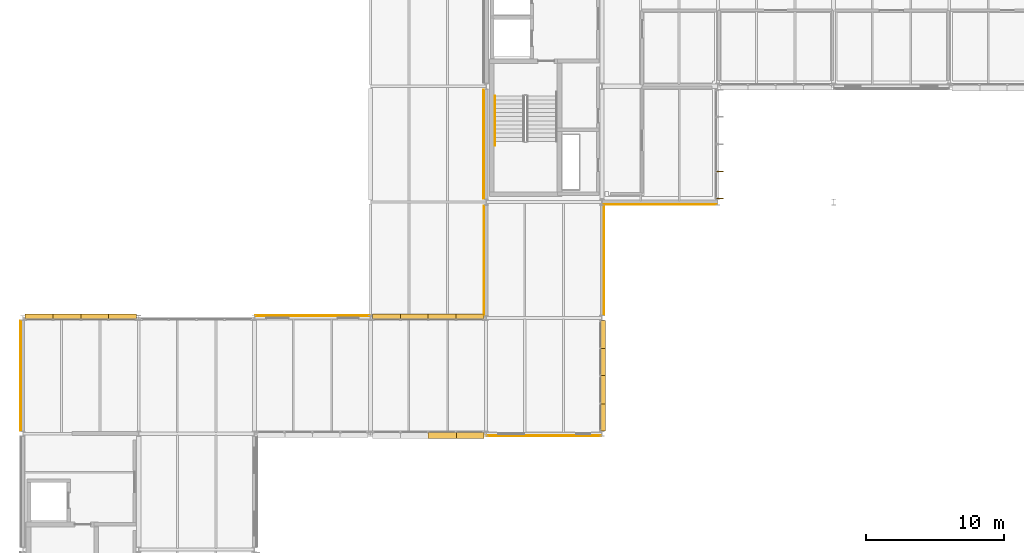
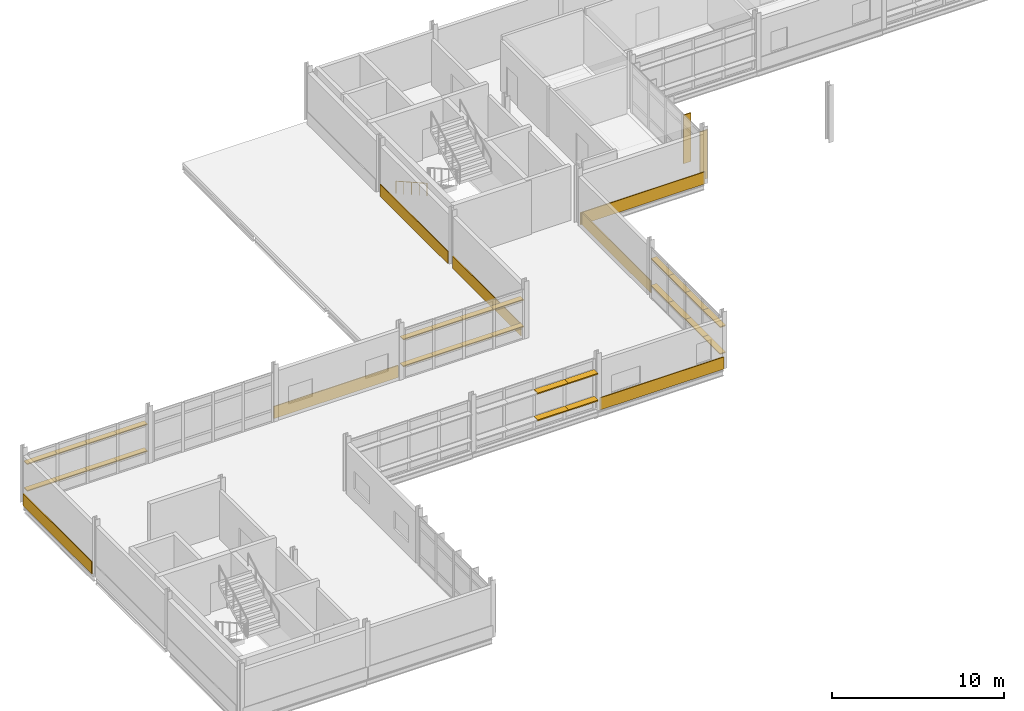
# One storey, part 121 of 131: 30 shading devices, 7 coverings, 1 railing.
"""IFC4 building model written with IfcOpenShell, lengths in metres."""

from ifc_helpers import new_model, si_unit, direction, frame, origin, origin_2d, place, context, subcontext, project, spatial, rectangle, circle, extrude, material, layer, layer_set, type_object, element, save


model = new_model("IFC4")

# Units and contexts
model_context = context("Model", 3, precision=1e-05, world=origin(), true_north=direction((0.0, 1.0)))
body_context = subcontext(model_context, "Body", "Model", "MODEL_VIEW")
ifc_project = project(units=[si_unit("LENGTHUNIT", "METRE"), si_unit("AREAUNIT", "SQUARE_METRE"), si_unit("VOLUMEUNIT", "CUBIC_METRE"), si_unit("PLANEANGLEUNIT", "RADIAN"), si_unit("MASSUNIT", "GRAM", prefix="KILO")], contexts=[model_context])

# Site, building, storey
site_placement = place(None, origin())
site = spatial("IfcSite", under=ifc_project, at=site_placement, CompositionType="ELEMENT")
building_placement = place(site_placement, origin())
building = spatial("IfcBuilding", under=site, at=building_placement, Name="Mersafa Astral City Hall", CompositionType="ELEMENT")
storey_placement = place(building_placement, frame((0.0, 0.0, 13.949951171875)))
storey = spatial("IfcBuildingStorey", under=building, at=storey_placement, Name="L03", CompositionType="ELEMENT", Elevation=13.949951171875)

# Coverings
ifc_material_1 = material(Name="Cairo Mokattam buff limestone cladding", Category="masonry")
ifc_layer = layer(ifc_material_1, 0.06005859375, Name="Cairo Mokattam buff limestone cladding")
ifc_layer_set = layer_set([ifc_layer], Name="Cairo Mokattam buff limestone cladding — ENV-COV-LIMESTONE-60")
covering_type = type_object("IfcCoveringType", Name="ENV-COV-LIMESTONE-60", PredefinedType="CLADDING", material=ifc_layer_set)
covering_1_placement = place(storey_placement, frame((41.83056640625, 113.39990234375, 0.0), z_axis=(0.0, 0.0, 1.0), x_axis=(0.0, -1.0, 0.0)))
element("IfcCovering", 1, at=covering_1_placement, inside=storey, type_object=covering_type, Name="L03 Cairo buff limestone rainscreen cladding 251", PredefinedType="CLADDING", context=body_context, shape_type="SweptSolid", body=[
    extrude(rectangle(XDim=7.89794921875, YDim=0.06005859375, at=origin_2d()), origin(), (0.0, 0.0, 1.0), 0.860107421875),
])
covering_2_placement = place(storey_placement, frame((41.837890625, 104.972412109375, 0.0), z_axis=(0.0, 0.0, 1.0), x_axis=(0.0, -1.0, 0.0)))
element("IfcCovering", 2, at=covering_2_placement, inside=storey, type_object=covering_type, Name="L03 Cairo buff limestone rainscreen cladding 252", PredefinedType="CLADDING", context=body_context, shape_type="SweptSolid", body=[
    extrude(rectangle(XDim=7.952880859375, YDim=0.06005859375, at=origin_2d()), origin(), (0.0, 0.0, 1.0), 0.860107421875),
])
covering_3_placement = place(storey_placement, frame((29.39990234375, 100.95458984375, 0.0), z_axis=(0.0, 0.0, 1.0), x_axis=(-1.0, 0.0, 0.0)))
element("IfcCovering", 3, at=covering_3_placement, inside=storey, type_object=covering_type, Name="L03 Cairo buff limestone rainscreen cladding 253", PredefinedType="CLADDING", context=body_context, shape_type="SweptSolid", body=[
    extrude(rectangle(XDim=8.323974609375, YDim=0.06005859375, at=origin_2d()), origin(), (0.0, 0.0, 1.0), 0.860107421875),
])
covering_4_placement = place(storey_placement, frame((8.2529296875, 96.60498046875, 0.0), z_axis=(0.0, 0.0, 1.0), x_axis=(0.0, -1.0, 0.0)))
element("IfcCovering", 4, at=covering_4_placement, inside=storey, type_object=covering_type, Name="L03 Cairo buff limestone rainscreen cladding 254", PredefinedType="CLADDING", context=body_context, shape_type="SweptSolid", body=[
    extrude(rectangle(XDim=7.998046875, YDim=0.06005859375, at=origin_2d()), origin(), (0.0, 0.0, 1.0), 0.860107421875),
])
covering_5_placement = place(storey_placement, frame((46.199951171875, 92.2529296875, 0.0), z_axis=(0.0, 0.0, 1.0), x_axis=(1.0, 0.0, 0.0)))
element("IfcCovering", 5, at=covering_5_placement, inside=storey, type_object=covering_type, Name="L03 Cairo buff limestone rainscreen cladding 260", PredefinedType="CLADDING", context=body_context, shape_type="SweptSolid", body=[
    extrude(rectangle(XDim=8.323974609375, YDim=0.06005859375, at=origin_2d()), origin(), (0.0, 0.0, 1.0), 0.860107421875),
])
covering_6_placement = place(storey_placement, frame((50.53955078125, 104.9775390625, 0.0), z_axis=(0.0, 0.0, 1.0), x_axis=(0.0, 1.0, 0.0)))
element("IfcCovering", 6, at=covering_6_placement, inside=storey, type_object=covering_type, Name="L03 Cairo buff limestone rainscreen cladding 261", PredefinedType="CLADDING", context=body_context, shape_type="SweptSolid", body=[
    extrude(rectangle(XDim=7.943115234375, YDim=0.06005859375, at=origin_2d()), origin(), (0.0, 0.0, 1.0), 0.860107421875),
])
covering_7_placement = place(storey_placement, frame((54.60009765625, 109.02294921875, 0.0), z_axis=(0.0, 0.0, 1.0), x_axis=(1.0, 0.0, 0.0)))
element("IfcCovering", 7, at=covering_7_placement, inside=storey, type_object=covering_type, Name="L03 Cairo buff limestone rainscreen cladding 262", PredefinedType="CLADDING", context=body_context, shape_type="SweptSolid", body=[
    extrude(rectangle(XDim=8.323974609375, YDim=0.06005859375, at=origin_2d()), origin(), (0.0, 0.0, 1.0), 0.860107421875),
])

# Shading devices
ifc_material_2 = material(Name="Anodised bronze aluminium solar fin", Category="aluminium")
shading_device_type_1 = type_object("IfcShadingDeviceType", Name="ENV-SHD-FIN-500A", PredefinedType="USERDEFINED", material=ifc_material_2)
for number, where, z_axis, x_axis, name in (
    (8, (58.945068359375, 109.467041015625, -0.014892578125), (0.0, 0.0, 1.0), (0.0, 1.0, 0.0), "L03 Vertical bronze solar fin 1131"),
    (9, (58.945068359375, 111.41845703125, -0.014892578125), (0.0, 0.0, 1.0), (0.0, 1.0, 0.0), "L03 Vertical bronze solar fin 1132"),
):
    element("IfcShadingDevice", number, at=place(storey_placement, frame(where, z_axis=z_axis, x_axis=x_axis)), inside=storey, type_object=shading_device_type_1, Name=name, ObjectType="FIN", PredefinedType="USERDEFINED", context=body_context, shape_type="SweptSolid", body=[
        extrude(rectangle(XDim=0.06005859375, YDim=0.5, at=origin_2d()), origin(), (0.0, 0.0, 1.0), 3.43701171875),
    ])
ifc_material_3 = material(Name="Kiln-dried cedar timber brise-soleil blade", Category="wood")
shading_device_type_2 = type_object("IfcShadingDeviceType", Name="ENV-SHD-LOUVRE-380", PredefinedType="JALOUSIE", material=ifc_material_3)
shading_device_1_placement = place(storey_placement, frame((40.8134765625, 100.8798828125, 0.81494140625), z_axis=(0.0, 0.0, 1.0), x_axis=(-1.0, 0.0, 0.0)))
element("IfcShadingDevice", 10, at=shading_device_1_placement, inside=storey, type_object=shading_device_type_2, Name="L03 Horizontal cedar brise-soleil louvre 1086", PredefinedType="JALOUSIE", context=body_context, shape_type="SweptSolid", body=[
    extrude(rectangle(XDim=2.029052734375, YDim=0.3798828125, at=origin_2d()), origin(), (0.0, 0.0, 1.0), 0.070068359375),
])
for number, where, z_axis, x_axis, name in (
    (11, (38.8095703125, 100.8798828125, 0.81494140625), (0.0, 0.0, 1.0), (-1.0, 0.0, 0.0), "L03 Horizontal cedar brise-soleil louvre 1087"),
    (12, (36.79052734375, 100.8798828125, 0.81494140625), (0.0, 0.0, 1.0), (-1.0, 0.0, 0.0), "L03 Horizontal cedar brise-soleil louvre 1088"),
):
    element("IfcShadingDevice", number, at=place(storey_placement, frame(where, z_axis=z_axis, x_axis=x_axis)), inside=storey, type_object=shading_device_type_2, Name=name, PredefinedType="JALOUSIE", context=body_context, shape_type="SweptSolid", body=[
        extrude(rectangle(XDim=2.05908203125, YDim=0.3798828125, at=origin_2d()), origin(), (0.0, 0.0, 1.0), 0.070068359375),
    ])
for number, where, z_axis, x_axis, name in (
    (13, (34.78662109375, 100.8798828125, 0.81494140625), (0.0, 0.0, 1.0), (-1.0, 0.0, 0.0), "L03 Horizontal cedar brise-soleil louvre 1089"),
    (14, (40.8134765625, 100.8798828125, 2.71484375), (0.0, 0.0, 1.0), (-1.0, 0.0, 0.0), "L03 Horizontal cedar brise-soleil louvre 1090"),
):
    element("IfcShadingDevice", number, at=place(storey_placement, frame(where, z_axis=z_axis, x_axis=x_axis)), inside=storey, type_object=shading_device_type_2, Name=name, PredefinedType="JALOUSIE", context=body_context, shape_type="SweptSolid", body=[
        extrude(rectangle(XDim=2.029052734375, YDim=0.3798828125, at=origin_2d()), origin(), (0.0, 0.0, 1.0), 0.070068359375),
    ])
for number, where, z_axis, x_axis, name in (
    (15, (38.8095703125, 100.8798828125, 2.71484375), (0.0, 0.0, 1.0), (-1.0, 0.0, 0.0), "L03 Horizontal cedar brise-soleil louvre 1091"),
    (16, (36.79052734375, 100.8798828125, 2.71484375), (0.0, 0.0, 1.0), (-1.0, 0.0, 0.0), "L03 Horizontal cedar brise-soleil louvre 1092"),
):
    element("IfcShadingDevice", number, at=place(storey_placement, frame(where, z_axis=z_axis, x_axis=x_axis)), inside=storey, type_object=shading_device_type_2, Name=name, PredefinedType="JALOUSIE", context=body_context, shape_type="SweptSolid", body=[
        extrude(rectangle(XDim=2.05908203125, YDim=0.3798828125, at=origin_2d()), origin(), (0.0, 0.0, 1.0), 0.070068359375),
    ])
for number, where, z_axis, x_axis, name in (
    (17, (34.78662109375, 100.8798828125, 2.71484375), (0.0, 0.0, 1.0), (-1.0, 0.0, 0.0), "L03 Horizontal cedar brise-soleil louvre 1093"),
    (18, (15.613525390625, 100.8798828125, 0.81494140625), (0.0, 0.0, 1.0), (-1.0, 0.0, 0.0), "L03 Horizontal cedar brise-soleil louvre 1094"),
):
    element("IfcShadingDevice", number, at=place(storey_placement, frame(where, z_axis=z_axis, x_axis=x_axis)), inside=storey, type_object=shading_device_type_2, Name=name, PredefinedType="JALOUSIE", context=body_context, shape_type="SweptSolid", body=[
        extrude(rectangle(XDim=2.029052734375, YDim=0.3798828125, at=origin_2d()), origin(), (0.0, 0.0, 1.0), 0.070068359375),
    ])
for number, where, z_axis, x_axis, name in (
    (19, (13.609619140625, 100.8798828125, 0.81494140625), (0.0, 0.0, 1.0), (-1.0, 0.0, 0.0), "L03 Horizontal cedar brise-soleil louvre 1095"),
    (20, (11.590576171875, 100.8798828125, 0.81494140625), (0.0, 0.0, 1.0), (-1.0, 0.0, 0.0), "L03 Horizontal cedar brise-soleil louvre 1096"),
):
    element("IfcShadingDevice", number, at=place(storey_placement, frame(where, z_axis=z_axis, x_axis=x_axis)), inside=storey, type_object=shading_device_type_2, Name=name, PredefinedType="JALOUSIE", context=body_context, shape_type="SweptSolid", body=[
        extrude(rectangle(XDim=2.05908203125, YDim=0.3798828125, at=origin_2d()), origin(), (0.0, 0.0, 1.0), 0.070068359375),
    ])
for number, where, z_axis, x_axis, name in (
    (21, (9.58642578125, 100.8798828125, 0.81494140625), (0.0, 0.0, 1.0), (-1.0, 0.0, 0.0), "L03 Horizontal cedar brise-soleil louvre 1097"),
    (22, (15.613525390625, 100.8798828125, 2.71484375), (0.0, 0.0, 1.0), (-1.0, 0.0, 0.0), "L03 Horizontal cedar brise-soleil louvre 1098"),
):
    element("IfcShadingDevice", number, at=place(storey_placement, frame(where, z_axis=z_axis, x_axis=x_axis)), inside=storey, type_object=shading_device_type_2, Name=name, PredefinedType="JALOUSIE", context=body_context, shape_type="SweptSolid", body=[
        extrude(rectangle(XDim=2.029052734375, YDim=0.3798828125, at=origin_2d()), origin(), (0.0, 0.0, 1.0), 0.070068359375),
    ])
for number, where, z_axis, x_axis, name in (
    (23, (13.609619140625, 100.8798828125, 2.71484375), (0.0, 0.0, 1.0), (-1.0, 0.0, 0.0), "L03 Horizontal cedar brise-soleil louvre 1099"),
    (24, (11.590576171875, 100.8798828125, 2.71484375), (0.0, 0.0, 1.0), (-1.0, 0.0, 0.0), "L03 Horizontal cedar brise-soleil louvre 1100"),
):
    element("IfcShadingDevice", number, at=place(storey_placement, frame(where, z_axis=z_axis, x_axis=x_axis)), inside=storey, type_object=shading_device_type_2, Name=name, PredefinedType="JALOUSIE", context=body_context, shape_type="SweptSolid", body=[
        extrude(rectangle(XDim=2.05908203125, YDim=0.3798828125, at=origin_2d()), origin(), (0.0, 0.0, 1.0), 0.070068359375),
    ])
shading_device_2_placement = place(storey_placement, frame((9.58642578125, 100.8798828125, 2.71484375), z_axis=(0.0, 0.0, 1.0), x_axis=(-1.0, 0.0, 0.0)))
element("IfcShadingDevice", 25, at=shading_device_2_placement, inside=storey, type_object=shading_device_type_2, Name="L03 Horizontal cedar brise-soleil louvre 1101", PredefinedType="JALOUSIE", context=body_context, shape_type="SweptSolid", body=[
    extrude(rectangle(XDim=2.029052734375, YDim=0.3798828125, at=origin_2d()), origin(), (0.0, 0.0, 1.0), 0.070068359375),
])
shading_device_3_placement = place(storey_placement, frame((50.47998046875, 93.60009765625, 0.81494140625), z_axis=(0.0, 0.0, 1.0), x_axis=(0.0, 1.0, 0.0)))
element("IfcShadingDevice", 26, at=shading_device_3_placement, inside=storey, type_object=shading_device_type_2, Name="L03 Horizontal cedar brise-soleil louvre 1123", PredefinedType="JALOUSIE", context=body_context, shape_type="SweptSolid", body=[
    extrude(rectangle(XDim=2.0166015625, YDim=0.3798828125, at=origin_2d()), origin(), (0.0, 0.0, 1.0), 0.070068359375),
])
for number, where, z_axis, x_axis, name in (
    (27, (50.47998046875, 95.591796875, 0.81494140625), (0.0, 0.0, 1.0), (0.0, 1.0, 0.0), "L03 Horizontal cedar brise-soleil louvre 1124"),
    (28, (50.47998046875, 97.598388671875, 0.81494140625), (0.0, 0.0, 1.0), (0.0, 1.0, 0.0), "L03 Horizontal cedar brise-soleil louvre 1125"),
):
    element("IfcShadingDevice", number, at=place(storey_placement, frame(where, z_axis=z_axis, x_axis=x_axis)), inside=storey, type_object=shading_device_type_2, Name=name, PredefinedType="JALOUSIE", context=body_context, shape_type="SweptSolid", body=[
        extrude(rectangle(XDim=2.04638671875, YDim=0.3798828125, at=origin_2d()), origin(), (0.0, 0.0, 1.0), 0.070068359375),
    ])
for number, where, z_axis, x_axis, name in (
    (29, (50.47998046875, 99.58984375, 0.81494140625), (0.0, 0.0, 1.0), (0.0, 1.0, 0.0), "L03 Horizontal cedar brise-soleil louvre 1126"),
    (30, (50.47998046875, 93.60009765625, 2.71484375), (0.0, 0.0, 1.0), (0.0, 1.0, 0.0), "L03 Horizontal cedar brise-soleil louvre 1127"),
):
    element("IfcShadingDevice", number, at=place(storey_placement, frame(where, z_axis=z_axis, x_axis=x_axis)), inside=storey, type_object=shading_device_type_2, Name=name, PredefinedType="JALOUSIE", context=body_context, shape_type="SweptSolid", body=[
        extrude(rectangle(XDim=2.0166015625, YDim=0.3798828125, at=origin_2d()), origin(), (0.0, 0.0, 1.0), 0.070068359375),
    ])
for number, where, z_axis, x_axis, name in (
    (31, (50.47998046875, 95.591796875, 2.71484375), (0.0, 0.0, 1.0), (0.0, 1.0, 0.0), "L03 Horizontal cedar brise-soleil louvre 1128"),
    (32, (50.47998046875, 97.598388671875, 2.71484375), (0.0, 0.0, 1.0), (0.0, 1.0, 0.0), "L03 Horizontal cedar brise-soleil louvre 1129"),
):
    element("IfcShadingDevice", number, at=place(storey_placement, frame(where, z_axis=z_axis, x_axis=x_axis)), inside=storey, type_object=shading_device_type_2, Name=name, PredefinedType="JALOUSIE", context=body_context, shape_type="SweptSolid", body=[
        extrude(rectangle(XDim=2.04638671875, YDim=0.3798828125, at=origin_2d()), origin(), (0.0, 0.0, 1.0), 0.070068359375),
    ])
shading_device_4_placement = place(storey_placement, frame((50.47998046875, 99.58984375, 2.71484375), z_axis=(0.0, 0.0, 1.0), x_axis=(0.0, 1.0, 0.0)))
element("IfcShadingDevice", 33, at=shading_device_4_placement, inside=storey, type_object=shading_device_type_2, Name="L03 Horizontal cedar brise-soleil louvre 1130", PredefinedType="JALOUSIE", context=body_context, shape_type="SweptSolid", body=[
    extrude(rectangle(XDim=2.0166015625, YDim=0.3798828125, at=origin_2d()), origin(), (0.0, 0.0, 1.0), 0.070068359375),
])
shading_device_type_3 = type_object("IfcShadingDeviceType", Name="ENV-SHD-LOUVRE-450", PredefinedType="JALOUSIE", material=ifc_material_3)
shading_device_5_placement = place(storey_placement, frame((38.8095703125, 92.284912109375, 0.81005859375), z_axis=(0.0, 0.0, 1.0), x_axis=(1.0, 0.0, 0.0)))
element("IfcShadingDevice", 34, at=shading_device_5_placement, inside=storey, type_object=shading_device_type_3, Name="L03 Horizontal cedar brise-soleil louvre 1117", PredefinedType="JALOUSIE", context=body_context, shape_type="SweptSolid", body=[
    extrude(rectangle(XDim=2.05908203125, YDim=0.449951171875, at=origin_2d()), origin(), (0.0, 0.0, 1.0), 0.080078125),
])
shading_device_6_placement = place(storey_placement, frame((40.8134765625, 92.284912109375, 0.81005859375), z_axis=(0.0, 0.0, 1.0), x_axis=(1.0, 0.0, 0.0)))
element("IfcShadingDevice", 35, at=shading_device_6_placement, inside=storey, type_object=shading_device_type_3, Name="L03 Horizontal cedar brise-soleil louvre 1118", PredefinedType="JALOUSIE", context=body_context, shape_type="SweptSolid", body=[
    extrude(rectangle(XDim=2.029052734375, YDim=0.449951171875, at=origin_2d()), origin(), (0.0, 0.0, 1.0), 0.080078125),
])
shading_device_7_placement = place(storey_placement, frame((38.8095703125, 92.284912109375, 2.7099609375), z_axis=(0.0, 0.0, 1.0), x_axis=(1.0, 0.0, 0.0)))
element("IfcShadingDevice", 36, at=shading_device_7_placement, inside=storey, type_object=shading_device_type_3, Name="L03 Horizontal cedar brise-soleil louvre 1121", PredefinedType="JALOUSIE", context=body_context, shape_type="SweptSolid", body=[
    extrude(rectangle(XDim=2.05908203125, YDim=0.449951171875, at=origin_2d()), origin(), (0.0, 0.0, 1.0), 0.080078125),
])
shading_device_8_placement = place(storey_placement, frame((40.8134765625, 92.284912109375, 2.7099609375), z_axis=(0.0, 0.0, 1.0), x_axis=(1.0, 0.0, 0.0)))
element("IfcShadingDevice", 37, at=shading_device_8_placement, inside=storey, type_object=shading_device_type_3, Name="L03 Horizontal cedar brise-soleil louvre 1122", PredefinedType="JALOUSIE", context=body_context, shape_type="SweptSolid", body=[
    extrude(rectangle(XDim=2.029052734375, YDim=0.449951171875, at=origin_2d()), origin(), (0.0, 0.0, 1.0), 0.080078125),
])

# Railing
ifc_material_4 = material(Name="Brushed stainless steel tubular handrail", Category="steel")
railing_type = type_object("IfcRailingType", Name="HANDRAIL", PredefinedType="HANDRAIL", material=ifc_material_4)
railing_placement = place(storey_placement, frame((42.6298828125, 116.89990234375, 0.168701171875)))
element("IfcRailing", 38, at=railing_placement, inside=storey, type_object=railing_type, Name="L03 ST3 stair handrail 1", PredefinedType="HANDRAIL", context=body_context, shape_type="SweptSolid", body=[
    extrude(circle(Radius=0.02392578125, at=origin_2d()), frame((0.0, 0.0, 0.8759765625), z_axis=(0.0, -0.871248695433, 0.49084183879), x_axis=(1.0, 0.0, 0.0)), (0.0, 0.0, 1.0), 4.1318359375),
    extrude(circle(Radius=0.02099609375, at=origin_2d()), origin(), (0.0, 0.0, 1.0), 0.851806640625),
    extrude(circle(Radius=0.02099609375, at=origin_2d()), frame((0.0, -0.89990234375, 0.507080078125)), (0.0, 0.0, 1.0), 0.851806640625),
    extrude(circle(Radius=0.02099609375, at=origin_2d()), frame((0.0, -1.7998046875, 1.01416015625)), (0.0, 0.0, 1.0), 0.851806640625),
    extrude(circle(Radius=0.02099609375, at=origin_2d()), frame((0.0, -2.699951171875, 1.52099609375)), (0.0, 0.0, 1.0), 0.851806640625),
    extrude(circle(Radius=0.02099609375, at=origin_2d()), frame((0.0, -3.599853515625, 2.028076171875)), (0.0, 0.0, 1.0), 0.851806640625),
])

save(model, "model.ifc")
